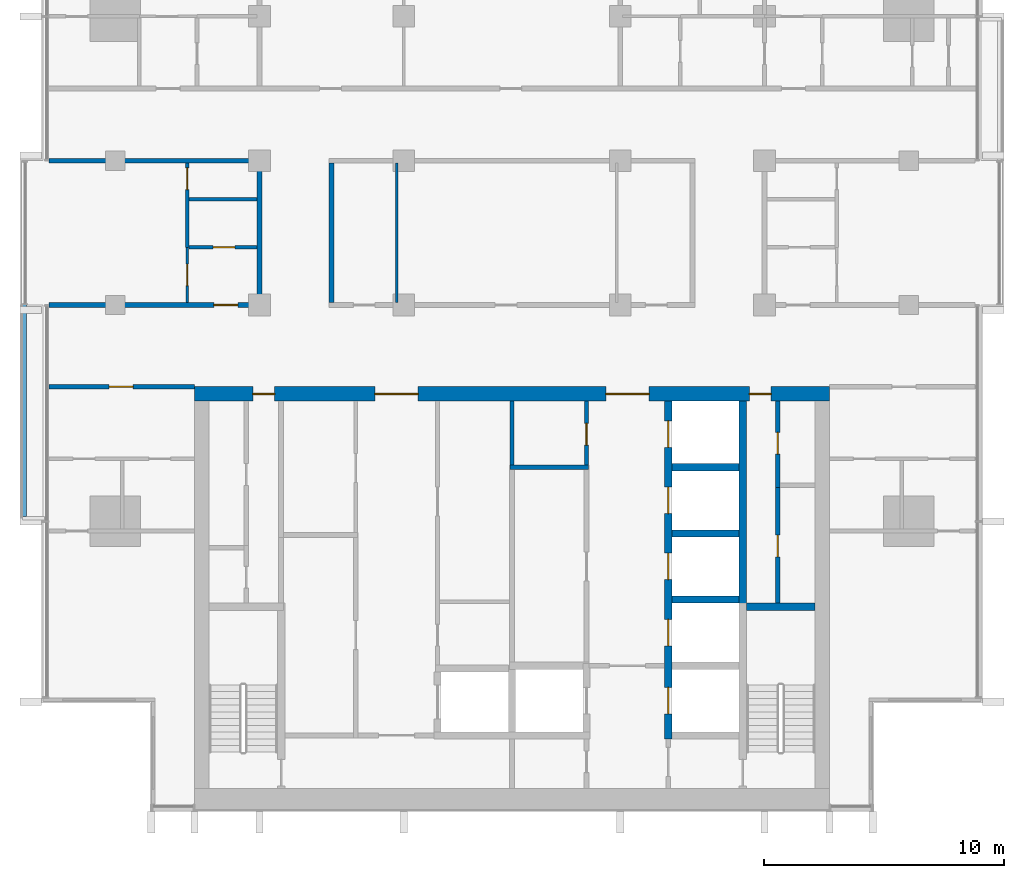
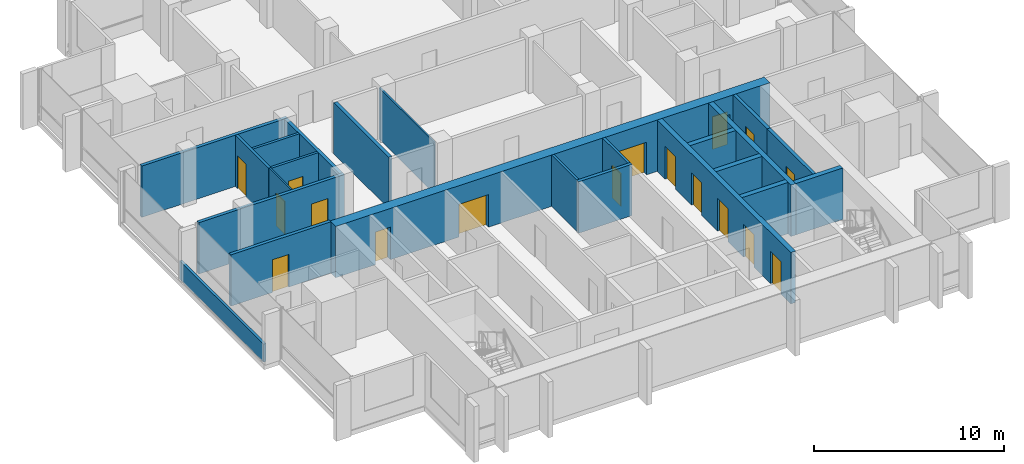
# One storey, part 8 of 16: 23 walls, 17 doors, 17 openings.
"""IFC4 building model written with IfcOpenShell, lengths in metres."""

from ifc_helpers import new_model, si_unit, direction, frame, frame_2d, origin, place, context, subcontext, project, spatial, rectangle, extrude, material, layer, layer_set, type_object, element, fill, save


model = new_model("IFC4")

# Units and contexts
model_context = context("Model", 3, precision=1e-05, world=origin(), true_north=direction((0.0, 1.0)))
body_context = subcontext(model_context, "Body", "Model", "MODEL_VIEW")
ifc_project = project(units=[si_unit("LENGTHUNIT", "METRE"), si_unit("AREAUNIT", "SQUARE_METRE"), si_unit("VOLUMEUNIT", "CUBIC_METRE"), si_unit("PLANEANGLEUNIT", "RADIAN"), si_unit("MASSUNIT", "GRAM", prefix="KILO")], contexts=[model_context])

# Site, building, storey
site_placement = place(None, origin())
site = spatial("IfcSite", under=ifc_project, at=site_placement, CompositionType="ELEMENT")
building_placement = place(site_placement, origin())
building = spatial("IfcBuilding", under=site, at=building_placement, Name="Finial Court Residences", CompositionType="ELEMENT")
storey_placement = place(building_placement, frame((0.0, 0.0, 212.300048828125)))
storey = spatial("IfcBuildingStorey", under=building, at=storey_placement, Name="L53", CompositionType="ELEMENT", Elevation=212.300048828125)

# Wall, openings, doors
ifc_material_1 = material(Name="Concrete C60/75", Category="concrete")
ifc_layer_1 = layer(ifc_material_1, 0.60009765625)
ifc_layer_set_1 = layer_set([ifc_layer_1], Name="Core outer wall 600 Concrete C60/75")
wall_type_1 = type_object("IfcWallType", Name="Core outer wall 600 Concrete C60/75", PredefinedType="SHEAR", material=ifc_layer_set_1)
wall_1_placement = place(storey_placement, frame((-13.199951171875, -8.199951171875, 0.0), z_axis=(0.0, 0.0, 1.0), x_axis=(1.0, 0.0, 0.0)))
wall_1 = element("IfcWall", 1, at=wall_1_placement, inside=storey, type_object=wall_type_1, Name="Core outer wall L53-02", PredefinedType="SHEAR", context=body_context, shape_type="SweptSolid", body=[
    extrude(rectangle(XDim=26.39990234375, YDim=0.60009765625, at=frame_2d((13.199951171875, 0.0))), origin(), (0.0, 0.0, 1.0), 3.300048828125),
])
opening_1_placement = place(wall_1_placement, frame((7.5, 0.0, 0.0)))
opening_1 = element("IfcOpeningElement", 2, at=opening_1_placement, cuts=wall_1, Name="Opening L53-C04", PredefinedType="OPENING", context=body_context, shape_type="SweptSolid", body=[
    extrude(rectangle(XDim=1.800048828125, YDim=2.10009765625, at=frame_2d((0.89990234375, 1.050048828125))), frame((0.0, 0.31005859375, 0.0), z_axis=(0.0, -1.0, 0.0), x_axis=(1.0, 0.0, 0.0)), (0.0, 0.0, 1.0), 0.6201171875),
])
opening_2_placement = place(wall_1_placement, frame((17.10009765625, 0.0, 0.0)))
opening_2 = element("IfcOpeningElement", 3, at=opening_2_placement, cuts=wall_1, Name="Opening L53-C05", PredefinedType="OPENING", context=body_context, shape_type="SweptSolid", body=[
    extrude(rectangle(XDim=1.800048828125, YDim=2.10009765625, at=frame_2d((0.89990234375, 1.050048828125))), frame((0.0, 0.31005859375, 0.0), z_axis=(0.0, -1.0, 0.0), x_axis=(1.0, 0.0, 0.0)), (0.0, 0.0, 1.0), 0.6201171875),
])
opening_3_placement = place(wall_1_placement, frame((2.425048828125, 0.0, 0.0)))
opening_3 = element("IfcOpeningElement", 4, at=opening_3_placement, cuts=wall_1, Name="Opening L53-C11", PredefinedType="OPENING", context=body_context, shape_type="SweptSolid", body=[
    extrude(rectangle(XDim=0.89990234375, YDim=2.10009765625, at=frame_2d((0.449951171875, 1.050048828125))), frame((0.0, 0.31005859375, 0.0), z_axis=(0.0, -1.0, 0.0), x_axis=(1.0, 0.0, 0.0)), (0.0, 0.0, 1.0), 0.6201171875),
])
opening_4_placement = place(wall_1_placement, frame((23.074951171875, 0.0, 0.0)))
opening_4 = element("IfcOpeningElement", 5, at=opening_4_placement, cuts=wall_1, Name="Opening L53-C12", PredefinedType="OPENING", context=body_context, shape_type="SweptSolid", body=[
    extrude(rectangle(XDim=0.89990234375, YDim=2.10009765625, at=frame_2d((0.449951171875, 1.050048828125))), frame((0.0, 0.31005859375, 0.0), z_axis=(0.0, -1.0, 0.0), x_axis=(1.0, 0.0, 0.0)), (0.0, 0.0, 1.0), 0.6201171875),
])
ifc_material_2 = material(Name="Steel fire door", Category="steel")
door_type_1 = type_object("IfcDoorType", Name="Lift lobby door 1800 x 2100 EI 60", OperationType="DOUBLE_DOOR_SINGLE_SWING", PredefinedType="DOOR", material=ifc_material_2)
door_1_placement = place(opening_1_placement, origin())
door_1 = element("IfcDoor", 6, at=door_1_placement, inside=storey, type_object=door_type_1, Name="Lift lobby door L53-C04", OperationType="DOUBLE_DOOR_SINGLE_SWING", OverallHeight=2.10009765625, OverallWidth=1.800048828125, PredefinedType="DOOR", context=body_context, shape_type="SweptSolid", body=[
    extrude(rectangle(XDim=1.800048828125, YDim=2.10009765625, at=frame_2d((0.89990234375, 1.050048828125))), frame((0.0, 0.02490234375, 0.0), z_axis=(0.0, -1.0, 0.0), x_axis=(1.0, 0.0, 0.0)), (0.0, 0.0, 1.0), 0.050048828125),
])
fill(opening_1, door_1)
door_2_placement = place(opening_2_placement, origin())
door_2 = element("IfcDoor", 7, at=door_2_placement, inside=storey, type_object=door_type_1, Name="Lift lobby door L53-C05", OperationType="DOUBLE_DOOR_SINGLE_SWING", OverallHeight=2.10009765625, OverallWidth=1.800048828125, PredefinedType="DOOR", context=body_context, shape_type="SweptSolid", body=[
    extrude(rectangle(XDim=1.800048828125, YDim=2.10009765625, at=frame_2d((0.89990234375, 1.050048828125))), frame((0.0, 0.02490234375, 0.0), z_axis=(0.0, -1.0, 0.0), x_axis=(1.0, 0.0, 0.0)), (0.0, 0.0, 1.0), 0.050048828125),
])
fill(opening_2, door_2)
door_type_2 = type_object("IfcDoorType", Name="Riser room door 900 x 2100 EI 90", OperationType="NOTDEFINED", PredefinedType="DOOR", material=ifc_material_2)
door_3_placement = place(opening_3_placement, origin())
door_3 = element("IfcDoor", 8, at=door_3_placement, inside=storey, type_object=door_type_2, Name="Riser room door L53-C11", OperationType="SINGLE_SWING_RIGHT", OverallHeight=2.10009765625, OverallWidth=0.89990234375, PredefinedType="DOOR", context=body_context, shape_type="SweptSolid", body=[
    extrude(rectangle(XDim=0.89990234375, YDim=2.10009765625, at=frame_2d((0.449951171875, 1.050048828125))), frame((0.0, 0.02490234375, 0.0), z_axis=(0.0, -1.0, 0.0), x_axis=(1.0, 0.0, 0.0)), (0.0, 0.0, 1.0), 0.050048828125),
])
fill(opening_3, door_3)
door_4_placement = place(opening_4_placement, origin())
door_4 = element("IfcDoor", 9, at=door_4_placement, inside=storey, type_object=door_type_2, Name="Riser room door L53-C12", OperationType="SINGLE_SWING_LEFT", OverallHeight=2.10009765625, OverallWidth=0.89990234375, PredefinedType="DOOR", context=body_context, shape_type="SweptSolid", body=[
    extrude(rectangle(XDim=0.89990234375, YDim=2.10009765625, at=frame_2d((0.449951171875, 1.050048828125))), frame((0.0, 0.02490234375, 0.0), z_axis=(0.0, -1.0, 0.0), x_axis=(1.0, 0.0, 0.0)), (0.0, 0.0, 1.0), 0.050048828125),
])
fill(opening_4, door_4)

# Wall
ifc_material_3 = material(Name="Fire-rated gypsum board partition")
ifc_layer_2 = layer(ifc_material_3, 0.14990234375)
ifc_layer_set_2 = layer_set([ifc_layer_2], Name="Core room partition 150 EI 60")
wall_type_2 = type_object("IfcWallType", Name="Core room partition 150 EI 60", PredefinedType="PARTITIONING", material=ifc_layer_set_2)
wall_2_placement = place(storey_placement, frame((0.0, -11.14990234375, 0.0), z_axis=(0.0, 0.0, 1.0), x_axis=(0.0, 1.0, 0.0)))
element("IfcWall", 10, at=wall_2_placement, inside=storey, type_object=wall_type_2, Name="Core partition L53-31", PredefinedType="PARTITIONING", context=body_context, shape_type="SweptSolid", body=[
    extrude(rectangle(XDim=2.64990234375, YDim=0.14990234375, at=frame_2d((1.324951171875, 0.0))), origin(), (0.0, 0.0, 1.0), 3.300048828125),
])

# Wall, opening, door
wall_3_placement = place(storey_placement, frame((3.10009765625, -11.14990234375, 0.0), z_axis=(0.0, 0.0, 1.0), x_axis=(0.0, 1.0, 0.0)))
wall_3 = element("IfcWall", 11, at=wall_3_placement, inside=storey, type_object=wall_type_2, Name="Core partition L53-35", PredefinedType="PARTITIONING", context=body_context, shape_type="SweptSolid", body=[
    extrude(rectangle(XDim=2.64990234375, YDim=0.14990234375, at=frame_2d((1.324951171875, 0.0))), origin(), (0.0, 0.0, 1.0), 3.300048828125),
])
opening_5_placement = place(wall_3_placement, frame((0.824951171875, 0.0, 0.0)))
opening_5 = element("IfcOpeningElement", 12, at=opening_5_placement, cuts=wall_3, Name="Opening L53-C18", PredefinedType="OPENING", context=body_context, shape_type="SweptSolid", body=[
    extrude(rectangle(XDim=0.89990234375, YDim=2.10009765625, at=frame_2d((0.449951171875, 1.050048828125))), frame((0.0, 0.0849609375, 0.0), z_axis=(0.0, -1.0, 0.0), x_axis=(1.0, 0.0, 0.0)), (0.0, 0.0, 1.0), 0.169921875),
])
door_type_3 = type_object("IfcDoorType", Name="Core room door 900 x 2100 EI 60", OperationType="NOTDEFINED", PredefinedType="DOOR", material=ifc_material_2)
door_5_placement = place(opening_5_placement, origin())
door_5 = element("IfcDoor", 13, at=door_5_placement, inside=storey, type_object=door_type_3, Name="Core room door L53-C18", OperationType="SINGLE_SWING_LEFT", OverallHeight=2.10009765625, OverallWidth=0.89990234375, PredefinedType="DOOR", context=body_context, shape_type="SweptSolid", body=[
    extrude(rectangle(XDim=0.89990234375, YDim=2.10009765625, at=frame_2d((0.449951171875, 1.050048828125))), frame((0.0, 0.02490234375, 0.0), z_axis=(0.0, -1.0, 0.0), x_axis=(1.0, 0.0, 0.0)), (0.0, 0.0, 1.0), 0.050048828125),
])
fill(opening_5, door_5)

ifc_material_4 = material(Name="Gypsum board")
ifc_layer_3 = layer(ifc_material_4, 0.02490234375)
ifc_material_5 = material(Name="Acoustic mineral wool in double frame")
ifc_layer_4 = layer(ifc_material_5, 0.14990234375)
ifc_layer_5 = layer(ifc_material_4, 0.02490234375)
ifc_layer_set_3 = layer_set([ifc_layer_3, ifc_layer_4, ifc_layer_5], Name="Corridor wall 200, 1 hour")
wall_type_3 = type_object("IfcWallType", Name="Corridor wall 200, 1 hour", PredefinedType="PARTITIONING", material=ifc_layer_set_3)
wall_4_placement = place(storey_placement, frame((-19.262451171875, -7.89990234375, 0.0), z_axis=(0.0, 0.0, 1.0), x_axis=(1.0, 0.0, 0.0)))
wall_4 = element("IfcWall", 14, at=wall_4_placement, inside=storey, type_object=wall_type_3, Name="Partition L53-004", PredefinedType="PARTITIONING", context=body_context, shape_type="SweptSolid", body=[
    extrude(rectangle(XDim=6.0625, YDim=0.199951171875, at=frame_2d((3.03125, 0.0))), origin(), (0.0, 0.0, 1.0), 3.300048828125),
])
opening_6_placement = place(wall_4_placement, frame((2.511962890625, 0.0, 0.0)))
opening_6 = element("IfcOpeningElement", 15, at=opening_6_placement, cuts=wall_4, Name="Opening L53-D007", PredefinedType="OPENING", context=body_context, shape_type="SweptSolid", body=[
    extrude(rectangle(XDim=1.0, YDim=2.10009765625, at=frame_2d((0.5, 1.050048828125))), frame((0.0, 0.10986328125, 0.0), z_axis=(0.0, -1.0, 0.0), x_axis=(1.0, 0.0, 0.0)), (0.0, 0.0, 1.0), 0.219970703125),
])
ifc_material_6 = material(Name="Timber door leaf in hollow metal frame", Category="wood")
door_type_4 = type_object("IfcDoorType", Name="Fire door set 1000 x 2100, 30 minutes", OperationType="SINGLE_SWING_LEFT", PredefinedType="DOOR", material=ifc_material_6)
door_6_placement = place(opening_6_placement, origin())
door_6 = element("IfcDoor", 16, at=door_6_placement, inside=storey, type_object=door_type_4, Name="Door L53-D007", OperationType="SINGLE_SWING_RIGHT", OverallHeight=2.10009765625, OverallWidth=1.0, PredefinedType="DOOR", context=body_context, shape_type="SweptSolid", body=[
    extrude(rectangle(XDim=1.0, YDim=2.10009765625, at=frame_2d((0.5, 1.050048828125))), frame((0.0, 0.02490234375, 0.0), z_axis=(0.0, -1.0, 0.0), x_axis=(1.0, 0.0, 0.0)), (0.0, 0.0, 1.0), 0.050048828125),
])
fill(opening_6, door_6)

wall_5_placement = place(storey_placement, frame((-19.262451171875, -4.5, 0.0), z_axis=(0.0, 0.0, 1.0), x_axis=(1.0, 0.0, 0.0)))
wall_5 = element("IfcWall", 17, at=wall_5_placement, inside=storey, type_object=wall_type_3, Name="Partition L53-006", PredefinedType="PARTITIONING", context=body_context, shape_type="SweptSolid", body=[
    extrude(rectangle(XDim=8.862548828125, YDim=0.199951171875, at=frame_2d((4.43115234375, 0.0))), origin(), (0.0, 0.0, 1.0), 3.300048828125),
])
opening_7_placement = place(wall_5_placement, frame((6.862060546875, 0.0, 0.0)))
opening_7 = element("IfcOpeningElement", 18, at=opening_7_placement, cuts=wall_5, Name="Opening L53-D009", PredefinedType="OPENING", context=body_context, shape_type="SweptSolid", body=[
    extrude(rectangle(XDim=1.0, YDim=2.10009765625, at=frame_2d((0.5, 1.050048828125))), frame((0.0, 0.10986328125, 0.0), z_axis=(0.0, -1.0, 0.0), x_axis=(1.0, 0.0, 0.0)), (0.0, 0.0, 1.0), 0.219970703125),
])
door_7_placement = place(opening_7_placement, origin())
door_7 = element("IfcDoor", 19, at=door_7_placement, inside=storey, type_object=door_type_4, Name="Door L53-D009", OperationType="SINGLE_SWING_LEFT", OverallHeight=2.10009765625, OverallWidth=1.0, PredefinedType="DOOR", context=body_context, shape_type="SweptSolid", body=[
    extrude(rectangle(XDim=1.0, YDim=2.10009765625, at=frame_2d((0.5, 1.050048828125))), frame((0.0, 0.02490234375, 0.0), z_axis=(0.0, -1.0, 0.0), x_axis=(1.0, 0.0, 0.0)), (0.0, 0.0, 1.0), 0.050048828125),
])
fill(opening_7, door_7)

# Walls
wall_6_placement = place(storey_placement, frame((-19.262451171875, 1.5, 0.0), z_axis=(0.0, 0.0, 1.0), x_axis=(1.0, 0.0, 0.0)))
element("IfcWall", 20, at=wall_6_placement, inside=storey, type_object=wall_type_3, Name="Partition L53-013", PredefinedType="PARTITIONING", context=body_context, shape_type="SweptSolid", body=[
    extrude(rectangle(XDim=8.862548828125, YDim=0.199951171875, at=frame_2d((4.43115234375, 0.0))), origin(), (0.0, 0.0, 1.0), 3.300048828125),
])
for number, where, z_axis, x_axis, name in (
    (21, (-10.5, -4.39990234375, 0.0), (0.0, 0.0, 1.0), (0.0, 1.0, 0.0), "Partition L53-031"),
    (22, (-7.5, -4.39990234375, 0.0), (0.0, 0.0, 1.0), (0.0, 1.0, 0.0), "Partition L53-033"),
):
    element("IfcWall", number, at=place(storey_placement, frame(where, z_axis=z_axis, x_axis=x_axis)), inside=storey, type_object=wall_type_3, Name=name, PredefinedType="PARTITIONING", context=body_context, shape_type="SweptSolid", body=[
        extrude(rectangle(XDim=5.7998046875, YDim=0.199951171875, at=frame_2d((2.89990234375, 0.0))), origin(), (0.0, 0.0, 1.0), 3.300048828125),
    ])

# Wall, opening, door
ifc_layer_6 = layer(ifc_material_4, 0.012451171875)
ifc_material_7 = material(Name="Mineral wool in light-gauge frame")
ifc_layer_7 = layer(ifc_material_7, 0.074951171875)
ifc_layer_8 = layer(ifc_material_4, 0.012451171875)
ifc_layer_set_4 = layer_set([ifc_layer_6, ifc_layer_7, ifc_layer_8], Name="Gypsum board partition 100")
wall_type_4 = type_object("IfcWallType", Name="Gypsum board partition 100", PredefinedType="PARTITIONING", material=ifc_layer_set_4)
wall_7_placement = place(storey_placement, frame((-13.5, -4.39990234375, 0.0), z_axis=(0.0, 0.0, 1.0), x_axis=(0.0, 1.0, 0.0)))
wall_7 = element("IfcWall", 23, at=wall_7_placement, inside=storey, type_object=wall_type_4, Name="Partition L53-028", PredefinedType="PARTITIONING", context=body_context, shape_type="SweptSolid", body=[
    extrude(rectangle(XDim=2.2998046875, YDim=0.10009765625, at=frame_2d((1.14990234375, 0.0))), origin(), (0.0, 0.0, 1.0), 3.300048828125),
])
opening_8_placement = place(wall_7_placement, frame((0.699951171875, 0.0, 0.0)))
opening_8 = element("IfcOpeningElement", 24, at=opening_8_placement, cuts=wall_7, Name="Opening L53-D025", PredefinedType="OPENING", context=body_context, shape_type="SweptSolid", body=[
    extrude(rectangle(XDim=0.89990234375, YDim=2.10009765625, at=frame_2d((0.449951171875, 1.050048828125))), frame((0.0, 0.06005859375, 0.0), z_axis=(0.0, -1.0, 0.0), x_axis=(1.0, 0.0, 0.0)), (0.0, 0.0, 1.0), 0.1201171875),
])
ifc_material_8 = material(Name="Timber door leaf in timber frame", Category="wood")
door_type_5 = type_object("IfcDoorType", Name="Door set 900 x 2100", OperationType="SINGLE_SWING_LEFT", PredefinedType="DOOR", material=ifc_material_8)
door_8_placement = place(opening_8_placement, origin())
door_8 = element("IfcDoor", 25, at=door_8_placement, inside=storey, type_object=door_type_5, Name="Door L53-D025", OperationType="SINGLE_SWING_RIGHT", OverallHeight=2.10009765625, OverallWidth=0.89990234375, PredefinedType="DOOR", context=body_context, shape_type="SweptSolid", body=[
    extrude(rectangle(XDim=0.89990234375, YDim=2.10009765625, at=frame_2d((0.449951171875, 1.050048828125))), frame((0.0, 0.02490234375, 0.0), z_axis=(0.0, -1.0, 0.0), x_axis=(1.0, 0.0, 0.0)), (0.0, 0.0, 1.0), 0.050048828125),
])
fill(opening_8, door_8)

# Wall
wall_8_placement = place(storey_placement, frame((-4.800048828125, -4.39990234375, 0.0), z_axis=(0.0, 0.0, 1.0), x_axis=(0.0, 1.0, 0.0)))
element("IfcWall", 26, at=wall_8_placement, inside=storey, type_object=wall_type_4, Name="Partition L53-034", PredefinedType="PARTITIONING", context=body_context, shape_type="SweptSolid", body=[
    extrude(rectangle(XDim=5.7998046875, YDim=0.10009765625, at=frame_2d((2.89990234375, 0.0))), origin(), (0.0, 0.0, 1.0), 3.300048828125),
])

# Wall, opening, door
ifc_material_9 = material(Name="Moisture-resistant gypsum board")
ifc_layer_9 = layer(ifc_material_9, 0.012451171875)
ifc_layer_10 = layer(ifc_material_7, 0.125)
ifc_layer_11 = layer(ifc_material_9, 0.012451171875)
ifc_layer_set_5 = layer_set([ifc_layer_9, ifc_layer_10, ifc_layer_11], Name="Gypsum board wet-area partition 150")
wall_type_5 = type_object("IfcWallType", Name="Gypsum board wet-area partition 150", PredefinedType="PARTITIONING", material=ifc_layer_set_5)
wall_9_placement = place(storey_placement, frame((-13.425048828125, -2.10009765625, 0.0), z_axis=(0.0, 0.0, 1.0), x_axis=(1.0, 0.0, 0.0)))
wall_9 = element("IfcWall", 27, at=wall_9_placement, inside=storey, type_object=wall_type_5, Name="Partition L53-009", PredefinedType="PARTITIONING", context=body_context, shape_type="SweptSolid", body=[
    extrude(rectangle(XDim=2.824951171875, YDim=0.14990234375, at=frame_2d((1.41259765625, 0.0))), origin(), (0.0, 0.0, 1.0), 3.300048828125),
])
opening_9_placement = place(wall_9_placement, frame((1.0, 0.0, 0.0)))
opening_9 = element("IfcOpeningElement", 28, at=opening_9_placement, cuts=wall_9, Name="Opening L53-D014", PredefinedType="OPENING", context=body_context, shape_type="SweptSolid", body=[
    extrude(rectangle(XDim=0.89990234375, YDim=2.10009765625, at=frame_2d((0.449951171875, 1.050048828125))), frame((0.0, 0.0849609375, 0.0), z_axis=(0.0, -1.0, 0.0), x_axis=(1.0, 0.0, 0.0)), (0.0, 0.0, 1.0), 0.169921875),
])
door_9_placement = place(opening_9_placement, origin())
door_9 = element("IfcDoor", 29, at=door_9_placement, inside=storey, type_object=door_type_5, Name="Door L53-D014", OperationType="SINGLE_SWING_RIGHT", OverallHeight=2.10009765625, OverallWidth=0.89990234375, PredefinedType="DOOR", context=body_context, shape_type="SweptSolid", body=[
    extrude(rectangle(XDim=0.89990234375, YDim=2.10009765625, at=frame_2d((0.449951171875, 1.050048828125))), frame((0.0, 0.02490234375, 0.0), z_axis=(0.0, -1.0, 0.0), x_axis=(1.0, 0.0, 0.0)), (0.0, 0.0, 1.0), 0.050048828125),
])
fill(opening_9, door_9)

# Wall
wall_10_placement = place(storey_placement, frame((-13.425048828125, -0.10009765625, 0.0), z_axis=(0.0, 0.0, 1.0), x_axis=(1.0, 0.0, 0.0)))
element("IfcWall", 30, at=wall_10_placement, inside=storey, type_object=wall_type_5, Name="Partition L53-011", PredefinedType="PARTITIONING", context=body_context, shape_type="SweptSolid", body=[
    extrude(rectangle(XDim=2.824951171875, YDim=0.14990234375, at=frame_2d((1.41259765625, 0.0))), origin(), (0.0, 0.0, 1.0), 3.300048828125),
])

# Wall, opening, door
wall_11_placement = place(storey_placement, frame((-13.5, -2.10009765625, 0.0), z_axis=(0.0, 0.0, 1.0), x_axis=(0.0, 1.0, 0.0)))
wall_11 = element("IfcWall", 31, at=wall_11_placement, inside=storey, type_object=wall_type_5, Name="Partition L53-029", PredefinedType="PARTITIONING", context=body_context, shape_type="SweptSolid", body=[
    extrude(rectangle(XDim=3.5, YDim=0.14990234375, at=frame_2d((1.75, 0.0))), origin(), (0.0, 0.0, 1.0), 3.300048828125),
])
opening_10_placement = place(wall_11_placement, frame((2.39990234375, 0.0, 0.0)))
opening_10 = element("IfcOpeningElement", 32, at=opening_10_placement, cuts=wall_11, Name="Opening L53-D026", PredefinedType="OPENING", context=body_context, shape_type="SweptSolid", body=[
    extrude(rectangle(XDim=0.89990234375, YDim=2.10009765625, at=frame_2d((0.449951171875, 1.050048828125))), frame((0.0, 0.0849609375, 0.0), z_axis=(0.0, -1.0, 0.0), x_axis=(1.0, 0.0, 0.0)), (0.0, 0.0, 1.0), 0.169921875),
])
door_10_placement = place(opening_10_placement, origin())
door_10 = element("IfcDoor", 33, at=door_10_placement, inside=storey, type_object=door_type_5, Name="Door L53-D026", OperationType="SINGLE_SWING_RIGHT", OverallHeight=2.10009765625, OverallWidth=0.89990234375, PredefinedType="DOOR", context=body_context, shape_type="SweptSolid", body=[
    extrude(rectangle(XDim=0.89990234375, YDim=2.10009765625, at=frame_2d((0.449951171875, 1.050048828125))), frame((0.0, 0.02490234375, 0.0), z_axis=(0.0, -1.0, 0.0), x_axis=(1.0, 0.0, 0.0)), (0.0, 0.0, 1.0), 0.050048828125),
])
fill(opening_10, door_10)

# Walls
ifc_material_10 = material(Name="Concrete C35/45", Category="concrete")
ifc_layer_12 = layer(ifc_material_10, 0.14990234375)
ifc_layer_set_6 = layer_set([ifc_layer_12], Name="Ledge parapet, Concrete C35/45 150")
wall_type_6 = type_object("IfcWallType", Name="Ledge parapet, Concrete C35/45 150", PredefinedType="PARAPET", material=ifc_layer_set_6)
wall_12_placement = place(storey_placement, frame((-20.27490234375, -13.300048828125, 0.0), z_axis=(0.0, 0.0, 1.0), x_axis=(0.0, 1.0, 0.0)))
element("IfcWall", 34, at=wall_12_placement, inside=storey, type_object=wall_type_6, Name="E-L53-LED2-P2", PredefinedType="PARAPET", context=body_context, shape_type="SweptSolid", body=[
    extrude(rectangle(XDim=8.8525390625, YDim=0.14990234375, at=frame_2d((4.42626953125, 0.0))), origin(), (0.0, 0.0, 1.0), 1.14990234375),
])
ifc_layer_13 = layer(ifc_material_1, 0.300048828125)
ifc_layer_set_7 = layer_set([ifc_layer_13], Name="Lift shaft and stair wall 300 Concrete C60/75")
wall_type_7 = type_object("IfcWallType", Name="Lift shaft and stair wall 300 Concrete C60/75", PredefinedType="SHEAR", material=ifc_layer_set_7)
wall_13_placement = place(storey_placement, frame((9.75, -17.050048828125, 0.0), z_axis=(0.0, 0.0, 1.0), x_axis=(1.0, 0.0, 0.0)))
element("IfcWall", 35, at=wall_13_placement, inside=storey, type_object=wall_type_7, Name="Core wall L53-10", PredefinedType="SHEAR", context=body_context, shape_type="SweptSolid", body=[
    extrude(rectangle(XDim=2.85009765625, YDim=0.300048828125, at=frame_2d((1.425048828125, 0.0))), origin(), (0.0, 0.0, 1.0), 3.300048828125),
])
for number, where, z_axis, x_axis, name in (
    (36, (6.64990234375, -16.75, 0.0), (0.0, 0.0, 1.0), (1.0, 0.0, 0.0), "Core wall L53-12"),
    (37, (6.64990234375, -14.0, 0.0), (0.0, 0.0, 1.0), (1.0, 0.0, 0.0), "Core wall L53-15"),
    (38, (6.64990234375, -11.25, 0.0), (0.0, 0.0, 1.0), (1.0, 0.0, 0.0), "Core wall L53-18"),
):
    element("IfcWall", number, at=place(storey_placement, frame(where, z_axis=z_axis, x_axis=x_axis)), inside=storey, type_object=wall_type_7, Name=name, PredefinedType="SHEAR", context=body_context, shape_type="SweptSolid", body=[
        extrude(rectangle(XDim=2.800048828125, YDim=0.300048828125, at=frame_2d((1.39990234375, 0.0))), origin(), (0.0, 0.0, 1.0), 3.300048828125),
    ])

# Wall, openings, doors
wall_14_placement = place(storey_placement, frame((6.5, -22.550048828125, 0.0), z_axis=(0.0, 0.0, 1.0), x_axis=(0.0, 1.0, 0.0)))
wall_14 = element("IfcWall", 39, at=wall_14_placement, inside=storey, type_object=wall_type_7, Name="Core wall L53-37", PredefinedType="SHEAR", context=body_context, shape_type="SweptSolid", body=[
    extrude(rectangle(XDim=14.050048828125, YDim=0.300048828125, at=frame_2d((7.02490234375, 0.0))), origin(), (0.0, 0.0, 1.0), 3.300048828125),
])
opening_11_placement = place(wall_14_placement, frame((1.050048828125, 0.0, 0.0)))
opening_11 = element("IfcOpeningElement", 40, at=opening_11_placement, cuts=wall_14, Name="Opening L53-LD02", PredefinedType="OPENING", context=body_context, shape_type="SweptSolid", body=[
    extrude(rectangle(XDim=1.10009765625, YDim=2.10009765625, at=frame_2d((0.550048828125, 1.050048828125))), frame((0.0, 0.159912109375, 0.0), z_axis=(0.0, -1.0, 0.0), x_axis=(1.0, 0.0, 0.0)), (0.0, 0.0, 1.0), 0.320068359375),
])
opening_12_placement = place(wall_14_placement, frame((3.875, 0.0, 0.0)))
opening_12 = element("IfcOpeningElement", 41, at=opening_12_placement, cuts=wall_14, Name="Opening L53-LD03", PredefinedType="OPENING", context=body_context, shape_type="SweptSolid", body=[
    extrude(rectangle(XDim=1.10009765625, YDim=2.10009765625, at=frame_2d((0.550048828125, 1.050048828125))), frame((0.0, 0.159912109375, 0.0), z_axis=(0.0, -1.0, 0.0), x_axis=(1.0, 0.0, 0.0)), (0.0, 0.0, 1.0), 0.320068359375),
])
opening_13_placement = place(wall_14_placement, frame((6.625, 0.0, 0.0)))
opening_13 = element("IfcOpeningElement", 42, at=opening_13_placement, cuts=wall_14, Name="Opening L53-LD04", PredefinedType="OPENING", context=body_context, shape_type="SweptSolid", body=[
    extrude(rectangle(XDim=1.10009765625, YDim=2.10009765625, at=frame_2d((0.550048828125, 1.050048828125))), frame((0.0, 0.159912109375, 0.0), z_axis=(0.0, -1.0, 0.0), x_axis=(1.0, 0.0, 0.0)), (0.0, 0.0, 1.0), 0.320068359375),
])
opening_14_placement = place(wall_14_placement, frame((9.375, 0.0, 0.0)))
opening_14 = element("IfcOpeningElement", 43, at=opening_14_placement, cuts=wall_14, Name="Opening L53-LD05", PredefinedType="OPENING", context=body_context, shape_type="SweptSolid", body=[
    extrude(rectangle(XDim=1.10009765625, YDim=2.10009765625, at=frame_2d((0.550048828125, 1.050048828125))), frame((0.0, 0.159912109375, 0.0), z_axis=(0.0, -1.0, 0.0), x_axis=(1.0, 0.0, 0.0)), (0.0, 0.0, 1.0), 0.320068359375),
])
opening_15_placement = place(wall_14_placement, frame((12.125, 0.0, 0.0)))
opening_15 = element("IfcOpeningElement", 44, at=opening_15_placement, cuts=wall_14, Name="Opening L53-LD06", PredefinedType="OPENING", context=body_context, shape_type="SweptSolid", body=[
    extrude(rectangle(XDim=1.10009765625, YDim=2.10009765625, at=frame_2d((0.550048828125, 1.050048828125))), frame((0.0, 0.159912109375, 0.0), z_axis=(0.0, -1.0, 0.0), x_axis=(1.0, 0.0, 0.0)), (0.0, 0.0, 1.0), 0.320068359375),
])
ifc_material_11 = material(Name="Stainless steel lift door", Category="steel")
door_type_6 = type_object("IfcDoorType", Name="Lift landing door 1100 x 2100 EI 90", OperationType="DOUBLE_DOOR_SLIDING", PredefinedType="DOOR", material=ifc_material_11)
door_11_placement = place(opening_11_placement, origin())
door_11 = element("IfcDoor", 45, at=door_11_placement, inside=storey, type_object=door_type_6, Name="Lift landing door FF2 L53", OperationType="DOUBLE_DOOR_SLIDING", OverallHeight=2.10009765625, OverallWidth=1.10009765625, PredefinedType="DOOR", context=body_context, shape_type="SweptSolid", body=[
    extrude(rectangle(XDim=1.10009765625, YDim=2.10009765625, at=frame_2d((0.550048828125, 1.050048828125))), frame((0.0, 0.02490234375, 0.0), z_axis=(0.0, -1.0, 0.0), x_axis=(1.0, 0.0, 0.0)), (0.0, 0.0, 1.0), 0.050048828125),
])
fill(opening_11, door_11)
door_12_placement = place(opening_12_placement, origin())
door_12 = element("IfcDoor", 46, at=door_12_placement, inside=storey, type_object=door_type_6, Name="Lift landing door HR5 L53", OperationType="DOUBLE_DOOR_SLIDING", OverallHeight=2.10009765625, OverallWidth=1.10009765625, PredefinedType="DOOR", context=body_context, shape_type="SweptSolid", body=[
    extrude(rectangle(XDim=1.10009765625, YDim=2.10009765625, at=frame_2d((0.550048828125, 1.050048828125))), frame((0.0, 0.02490234375, 0.0), z_axis=(0.0, -1.0, 0.0), x_axis=(1.0, 0.0, 0.0)), (0.0, 0.0, 1.0), 0.050048828125),
])
fill(opening_12, door_12)
door_13_placement = place(opening_13_placement, origin())
door_13 = element("IfcDoor", 47, at=door_13_placement, inside=storey, type_object=door_type_6, Name="Lift landing door HR6 L53", OperationType="DOUBLE_DOOR_SLIDING", OverallHeight=2.10009765625, OverallWidth=1.10009765625, PredefinedType="DOOR", context=body_context, shape_type="SweptSolid", body=[
    extrude(rectangle(XDim=1.10009765625, YDim=2.10009765625, at=frame_2d((0.550048828125, 1.050048828125))), frame((0.0, 0.02490234375, 0.0), z_axis=(0.0, -1.0, 0.0), x_axis=(1.0, 0.0, 0.0)), (0.0, 0.0, 1.0), 0.050048828125),
])
fill(opening_13, door_13)
door_14_placement = place(opening_14_placement, origin())
door_14 = element("IfcDoor", 48, at=door_14_placement, inside=storey, type_object=door_type_6, Name="Lift landing door HR7 L53", OperationType="DOUBLE_DOOR_SLIDING", OverallHeight=2.10009765625, OverallWidth=1.10009765625, PredefinedType="DOOR", context=body_context, shape_type="SweptSolid", body=[
    extrude(rectangle(XDim=1.10009765625, YDim=2.10009765625, at=frame_2d((0.550048828125, 1.050048828125))), frame((0.0, 0.02490234375, 0.0), z_axis=(0.0, -1.0, 0.0), x_axis=(1.0, 0.0, 0.0)), (0.0, 0.0, 1.0), 0.050048828125),
])
fill(opening_14, door_14)
door_15_placement = place(opening_15_placement, origin())
door_15 = element("IfcDoor", 49, at=door_15_placement, inside=storey, type_object=door_type_6, Name="Lift landing door HR8 L53", OperationType="DOUBLE_DOOR_SLIDING", OverallHeight=2.10009765625, OverallWidth=1.10009765625, PredefinedType="DOOR", context=body_context, shape_type="SweptSolid", body=[
    extrude(rectangle(XDim=1.10009765625, YDim=2.10009765625, at=frame_2d((0.550048828125, 1.050048828125))), frame((0.0, 0.02490234375, 0.0), z_axis=(0.0, -1.0, 0.0), x_axis=(1.0, 0.0, 0.0)), (0.0, 0.0, 1.0), 0.050048828125),
])
fill(opening_15, door_15)

# Walls
wall_15_placement = place(storey_placement, frame((9.60009765625, -17.199951171875, 0.0), z_axis=(0.0, 0.0, 1.0), x_axis=(0.0, 1.0, 0.0)))
element("IfcWall", 50, at=wall_15_placement, inside=storey, type_object=wall_type_7, Name="Core wall L53-39", PredefinedType="SHEAR", context=body_context, shape_type="SweptSolid", body=[
    extrude(rectangle(XDim=8.699951171875, YDim=0.300048828125, at=frame_2d((4.35009765625, 0.0))), origin(), (0.0, 0.0, 1.0), 3.300048828125),
])
ifc_layer_14 = layer(ifc_material_3, 0.199951171875)
ifc_layer_set_8 = layer_set([ifc_layer_14], Name="Riser room wall 200 EI 120")
wall_type_8 = type_object("IfcWallType", Name="Riser room wall 200 EI 120", PredefinedType="PARTITIONING", material=ifc_layer_set_8)
wall_16_placement = place(storey_placement, frame((-0.074951171875, -11.25, 0.0), z_axis=(0.0, 0.0, 1.0), x_axis=(1.0, 0.0, 0.0)))
element("IfcWall", 51, at=wall_16_placement, inside=storey, type_object=wall_type_8, Name="Core partition L53-17", PredefinedType="PARTITIONING", context=body_context, shape_type="SweptSolid", body=[
    extrude(rectangle(XDim=3.25, YDim=0.199951171875, at=frame_2d((1.625, 0.0))), origin(), (0.0, 0.0, 1.0), 3.300048828125),
])

# Wall, opening, door
wall_17_placement = place(storey_placement, frame((11.050048828125, -8.5, 0.0), z_axis=(0.0, 0.0, 1.0), x_axis=(0.0, -1.0, 0.0)))
wall_17 = element("IfcWall", 52, at=wall_17_placement, inside=storey, type_object=wall_type_8, Name="Core partition L53-41", PredefinedType="PARTITIONING", context=body_context, shape_type="SweptSolid", body=[
    extrude(rectangle(XDim=3.60009765625, YDim=0.199951171875, at=frame_2d((1.800048828125, 0.0))), origin(), (0.0, 0.0, 1.0), 3.300048828125),
])
opening_16_placement = place(wall_17_placement, frame((1.300048828125, 0.0, 0.0)))
opening_16 = element("IfcOpeningElement", 53, at=opening_16_placement, cuts=wall_17, Name="Opening L53-C08", PredefinedType="OPENING", context=body_context, shape_type="SweptSolid", body=[
    extrude(rectangle(XDim=0.89990234375, YDim=2.10009765625, at=frame_2d((0.449951171875, 1.050048828125))), frame((0.0, 0.10986328125, 0.0), z_axis=(0.0, -1.0, 0.0), x_axis=(1.0, 0.0, 0.0)), (0.0, 0.0, 1.0), 0.219970703125),
])
door_16_placement = place(opening_16_placement, origin())
door_16 = element("IfcDoor", 54, at=door_16_placement, inside=storey, type_object=door_type_2, Name="Riser room door L53-C08", OperationType="SINGLE_SWING_RIGHT", OverallHeight=2.10009765625, OverallWidth=0.89990234375, PredefinedType="DOOR", context=body_context, shape_type="SweptSolid", body=[
    extrude(rectangle(XDim=0.89990234375, YDim=2.10009765625, at=frame_2d((0.449951171875, 1.050048828125))), frame((0.0, 0.02490234375, 0.0), z_axis=(0.0, -1.0, 0.0), x_axis=(1.0, 0.0, 0.0)), (0.0, 0.0, 1.0), 0.050048828125),
])
fill(opening_16, door_16)

ifc_layer_15 = layer(ifc_material_3, 0.199951171875)
ifc_layer_set_9 = layer_set([ifc_layer_15], Name="Stair passage wall 200 EI 180")
wall_type_9 = type_object("IfcWallType", Name="Stair passage wall 200 EI 180", PredefinedType="PARTITIONING", material=ifc_layer_set_9)
wall_18_placement = place(storey_placement, frame((11.050048828125, -11.89990234375, 0.0), z_axis=(0.0, 0.0, 1.0), x_axis=(0.0, -1.0, 0.0)))
wall_18 = element("IfcWall", 55, at=wall_18_placement, inside=storey, type_object=wall_type_9, Name="Core partition L53-40", PredefinedType="PARTITIONING", context=body_context, shape_type="SweptSolid", body=[
    extrude(rectangle(XDim=5.0, YDim=0.199951171875, at=frame_2d((2.5, 0.0))), origin(), (0.0, 0.0, 1.0), 3.300048828125),
])
opening_17_placement = place(wall_18_placement, frame((2.175048828125, 0.0, 0.0)))
opening_17 = element("IfcOpeningElement", 56, at=opening_17_placement, cuts=wall_18, Name="Opening L53-C14", PredefinedType="OPENING", context=body_context, shape_type="SweptSolid", body=[
    extrude(rectangle(XDim=0.89990234375, YDim=2.10009765625, at=frame_2d((0.449951171875, 1.050048828125))), frame((0.0, 0.10986328125, 0.0), z_axis=(0.0, -1.0, 0.0), x_axis=(1.0, 0.0, 0.0)), (0.0, 0.0, 1.0), 0.219970703125),
])
door_17_placement = place(opening_17_placement, origin())
door_17 = element("IfcDoor", 57, at=door_17_placement, inside=storey, type_object=door_type_3, Name="Core room door L53-C14", OperationType="SINGLE_SWING_RIGHT", OverallHeight=2.10009765625, OverallWidth=0.89990234375, PredefinedType="DOOR", context=body_context, shape_type="SweptSolid", body=[
    extrude(rectangle(XDim=0.89990234375, YDim=2.10009765625, at=frame_2d((0.449951171875, 1.050048828125))), frame((0.0, 0.02490234375, 0.0), z_axis=(0.0, -1.0, 0.0), x_axis=(1.0, 0.0, 0.0)), (0.0, 0.0, 1.0), 0.050048828125),
])
fill(opening_17, door_17)

save(model, "model.ifc")
